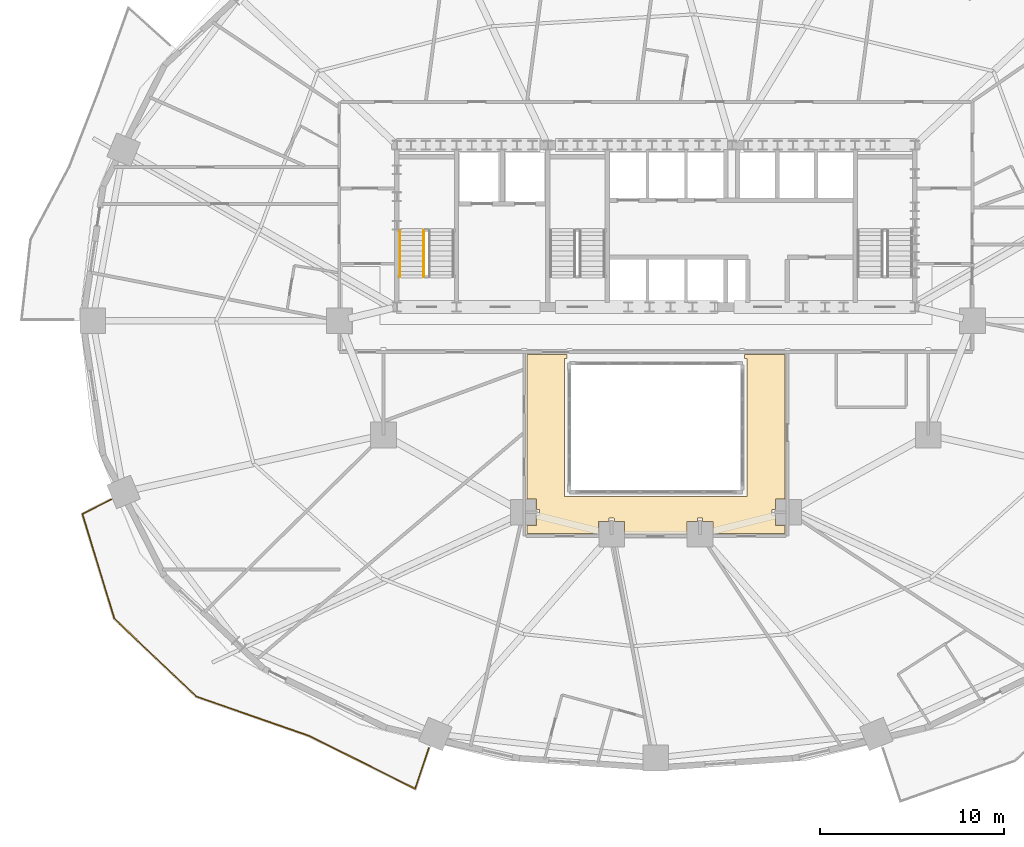
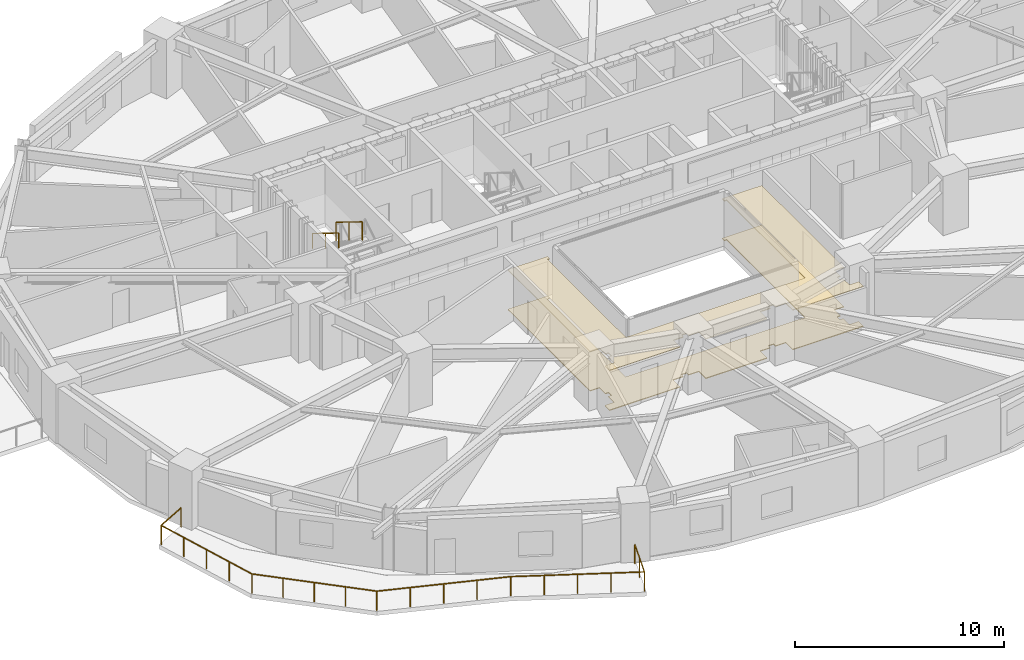
# One storey, part 14 of 17: 3 railings, 2 coverings.
"""IFC4 building model written with IfcOpenShell, lengths in metres."""

from ifc_helpers import new_model, si_unit, direction, frame, origin, origin_2d, place, context, subcontext, project, spatial, polyline, rectangle, outline, extrude, material, layer, layer_set, type_object, element, save


model = new_model("IFC4")

# Units and contexts
model_context = context("Model", 3, precision=1e-05, world=origin(), true_north=direction((0.0, 1.0)))
body_context = subcontext(model_context, "Body", "Model", "MODEL_VIEW")
ifc_project = project(units=[si_unit("LENGTHUNIT", "METRE"), si_unit("AREAUNIT", "SQUARE_METRE"), si_unit("VOLUMEUNIT", "CUBIC_METRE"), si_unit("PLANEANGLEUNIT", "RADIAN"), si_unit("MASSUNIT", "GRAM", prefix="KILO")], contexts=[model_context])

# Site, building, storey
site_placement = place(None, origin())
site = spatial("IfcSite", under=ifc_project, at=site_placement, CompositionType="ELEMENT")
building_placement = place(site_placement, origin())
building = spatial("IfcBuilding", under=site, at=building_placement, Name="Haldorwick Loom Tower", CompositionType="ELEMENT")
storey_placement = place(building_placement, frame((0.0, 0.0, 55.050048828125)))
storey = spatial("IfcBuildingStorey", under=building, at=storey_placement, Name="L14", CompositionType="ELEMENT", Elevation=55.050048828125)

# Coverings
ifc_material_1 = material(Name="Mineral Fibre Acoustic Ceiling Tile")
ifc_layer_1 = layer(ifc_material_1, 0.054931640625, Name="Mineral Fibre Acoustic Ceiling Tile")
ifc_layer_set_1 = layer_set([ifc_layer_1], Name="Mineral Fibre Acoustic Ceiling Tile")
covering_type_1 = type_object("IfcCoveringType", Name="ARC-COV-CEIL2", PredefinedType="CEILING", material=ifc_layer_set_1)
covering_1_placement = place(storey_placement, frame((0.0, 0.0, 2.302001953125)))
element("IfcCovering", 1, at=covering_1_placement, inside=storey, type_object=covering_type_1, Name="L14 Acoustic Suspended Ceiling 1", PredefinedType="CEILING", context=body_context, shape_type="SweptSolid", body=[
    extrude(outline(polyline([(37.69189453125, 14.43994140625), (37.69189453125, 15.10791015625), (38.260009765625, 15.10791015625), (38.260009765625, 15.27001953125), (38.260009765625, 15.27197265625), (38.260498046875, 15.27392578125), (38.260986328125, 15.27587890625), (38.261474609375, 15.277587890625), (38.262451171875, 15.279296875), (38.263427734375, 15.281005859375), (38.264404296875, 15.28271484375), (38.265869140625, 15.2841796875), (38.267333984375, 15.285400390625), (38.268798828125, 15.28662109375), (38.2705078125, 15.28759765625), (38.272216796875, 15.28857421875), (38.274169921875, 15.2890625), (38.276123046875, 15.28955078125), (38.278076171875, 15.289794921875), (38.280029296875, 15.2900390625), (38.52001953125, 15.2900390625), (38.52197265625, 15.289794921875), (38.52392578125, 15.28955078125), (38.52587890625, 15.289306640625), (38.527587890625, 15.28857421875), (38.529296875, 15.28759765625), (38.531005859375, 15.28662109375), (38.53271484375, 15.285400390625), (38.5341796875, 15.2841796875), (38.535400390625, 15.28271484375), (38.53662109375, 15.28125), (38.53759765625, 15.279541015625), (38.538330078125, 15.27783203125), (38.5390625, 15.27587890625), (38.53955078125, 15.274169921875), (38.539794921875, 15.272216796875), (38.5400390625, 15.270263671875), (38.5419921875, 15.10791015625), (39.10791015625, 15.10791015625), (39.10791015625, 14.43994140625), (43.010009765625, 14.43994140625), (43.010009765625, 14.89208984375), (42.491943359375, 14.89208984375), (42.491943359375, 15.4599609375), (42.330078125, 15.4599609375), (42.327880859375, 15.460205078125), (42.326171875, 15.46044921875), (42.32421875, 15.4609375), (42.322265625, 15.46142578125), (42.320556640625, 15.46240234375), (42.31884765625, 15.46337890625), (42.3173828125, 15.464599609375), (42.31591796875, 15.4658203125), (42.314453125, 15.46728515625), (42.3134765625, 15.468994140625), (42.3125, 15.470703125), (42.3115234375, 15.472412109375), (42.310791015625, 15.47412109375), (42.310302734375, 15.47607421875), (42.31005859375, 15.47802734375), (42.31005859375, 15.47998046875), (42.31005859375, 15.719970703125), (42.31005859375, 15.721923828125), (42.310302734375, 15.723876953125), (42.310791015625, 15.725830078125), (42.3115234375, 15.727783203125), (42.3125, 15.7294921875), (42.3134765625, 15.731201171875), (42.314453125, 15.732666015625), (42.31591796875, 15.734130859375), (42.3173828125, 15.735595703125), (42.31884765625, 15.736572265625), (42.320556640625, 15.737548828125), (42.322265625, 15.738525390625), (42.32421875, 15.739013671875), (42.326171875, 15.739501953125), (42.327880859375, 15.739990234375), (42.330078125, 15.739990234375), (42.491943359375, 15.739990234375), (42.491943359375, 16.30810546875), (43.010009765625, 16.30810546875), (43.010009765625, 24.159912109375), (40.820068359375, 24.159912109375), (40.820068359375, 23.949951171875), (40.949951171875, 23.949951171875), (40.949951171875, 16.449951171875), (31.050048828125, 16.449951171875), (31.050048828125, 23.949951171875), (31.179931640625, 23.949951171875), (31.179931640625, 24.159912109375), (28.989990234375, 24.159912109375), (28.989990234375, 16.30810546875), (29.508056640625, 16.30810546875), (29.508056640625, 15.739990234375), (29.669921875, 15.739990234375), (29.672119140625, 15.739990234375), (29.673828125, 15.739501953125), (29.67578125, 15.739013671875), (29.677734375, 15.738525390625), (29.679443359375, 15.737548828125), (29.68115234375, 15.736572265625), (29.6826171875, 15.735595703125), (29.68408203125, 15.734130859375), (29.685546875, 15.732666015625), (29.6865234375, 15.731201171875), (29.6875, 15.7294921875), (29.6884765625, 15.727783203125), (29.689208984375, 15.725830078125), (29.689697265625, 15.723876953125), (29.68994140625, 15.721923828125), (29.68994140625, 15.719970703125), (29.68994140625, 15.47998046875), (29.68994140625, 15.47802734375), (29.689697265625, 15.47607421875), (29.689208984375, 15.47412109375), (29.6884765625, 15.472412109375), (29.6875, 15.470703125), (29.6865234375, 15.468994140625), (29.685546875, 15.46728515625), (29.68408203125, 15.4658203125), (29.6826171875, 15.464599609375), (29.68115234375, 15.46337890625), (29.679443359375, 15.46240234375), (29.677734375, 15.46142578125), (29.67578125, 15.4609375), (29.673828125, 15.46044921875), (29.672119140625, 15.460205078125), (29.669921875, 15.4599609375), (29.508056640625, 15.4599609375), (29.508056640625, 14.89208984375), (28.989990234375, 14.89208984375), (28.989990234375, 14.43994140625), (32.89208984375, 14.43994140625), (32.89208984375, 15.10791015625), (33.458984375, 15.10791015625), (33.4599609375, 15.27001953125), (33.460205078125, 15.272216796875), (33.46044921875, 15.27392578125), (33.4609375, 15.27587890625), (33.461669921875, 15.277587890625), (33.46240234375, 15.279541015625), (33.46337890625, 15.28125), (33.464599609375, 15.28271484375), (33.4658203125, 15.2841796875), (33.46728515625, 15.285400390625), (33.468994140625, 15.28662109375), (33.470703125, 15.28759765625), (33.472412109375, 15.28857421875), (33.47412109375, 15.2890625), (33.47607421875, 15.28955078125), (33.47802734375, 15.289794921875), (33.47998046875, 15.2900390625), (33.719970703125, 15.2900390625), (33.721923828125, 15.289794921875), (33.723876953125, 15.28955078125), (33.725830078125, 15.2890625), (33.727783203125, 15.28857421875), (33.7294921875, 15.28759765625), (33.731201171875, 15.28662109375), (33.732666015625, 15.285400390625), (33.734130859375, 15.2841796875), (33.735595703125, 15.28271484375), (33.736572265625, 15.281005859375), (33.737548828125, 15.279296875), (33.738525390625, 15.277587890625), (33.739013671875, 15.27587890625), (33.739501953125, 15.27392578125), (33.739990234375, 15.27197265625), (33.739990234375, 15.27001953125), (33.739990234375, 15.10791015625), (34.30810546875, 15.10791015625), (34.30810546875, 14.43994140625), (37.69189453125, 14.43994140625)])), origin(), (0.0, 0.0, 1.0), 0.054931640625),
])
ifc_material_2 = material(Name="Polished Aggregate Terrazzo Finish")
ifc_layer_2 = layer(ifc_material_2, 0.044921875, Name="Polished Aggregate Terrazzo Finish")
ifc_layer_set_2 = layer_set([ifc_layer_2], Name="Polished Aggregate Terrazzo Finish")
covering_type_2 = type_object("IfcCoveringType", Name="ARC-COV-FLOOR2", PredefinedType="FLOORING", material=ifc_layer_set_2)
covering_2_placement = place(storey_placement, origin())
element("IfcCovering", 2, at=covering_2_placement, inside=storey, type_object=covering_type_2, Name="L14 Floor Finish 1", PredefinedType="FLOORING", context=body_context, shape_type="SweptSolid", body=[
    extrude(outline(polyline([(37.69189453125, 14.43994140625), (37.69189453125, 15.10791015625), (38.260009765625, 15.10791015625), (38.260009765625, 15.27001953125), (38.260009765625, 15.27197265625), (38.260498046875, 15.27392578125), (38.260986328125, 15.27587890625), (38.261474609375, 15.277587890625), (38.262451171875, 15.279296875), (38.263427734375, 15.281005859375), (38.264404296875, 15.28271484375), (38.265869140625, 15.2841796875), (38.267333984375, 15.285400390625), (38.268798828125, 15.28662109375), (38.2705078125, 15.28759765625), (38.272216796875, 15.28857421875), (38.274169921875, 15.2890625), (38.276123046875, 15.28955078125), (38.278076171875, 15.289794921875), (38.280029296875, 15.2900390625), (38.52001953125, 15.2900390625), (38.52197265625, 15.289794921875), (38.52392578125, 15.28955078125), (38.52587890625, 15.289306640625), (38.527587890625, 15.28857421875), (38.529296875, 15.28759765625), (38.531005859375, 15.28662109375), (38.53271484375, 15.285400390625), (38.5341796875, 15.2841796875), (38.535400390625, 15.28271484375), (38.53662109375, 15.28125), (38.53759765625, 15.279541015625), (38.538330078125, 15.27783203125), (38.5390625, 15.27587890625), (38.53955078125, 15.274169921875), (38.539794921875, 15.272216796875), (38.5400390625, 15.270263671875), (38.5419921875, 15.10791015625), (39.10791015625, 15.10791015625), (39.10791015625, 14.43994140625), (43.010009765625, 14.43994140625), (43.010009765625, 14.89208984375), (42.491943359375, 14.89208984375), (42.491943359375, 15.4599609375), (42.330078125, 15.4599609375), (42.327880859375, 15.460205078125), (42.326171875, 15.46044921875), (42.32421875, 15.4609375), (42.322265625, 15.46142578125), (42.320556640625, 15.46240234375), (42.31884765625, 15.46337890625), (42.3173828125, 15.464599609375), (42.31591796875, 15.4658203125), (42.314453125, 15.46728515625), (42.3134765625, 15.468994140625), (42.3125, 15.470703125), (42.3115234375, 15.472412109375), (42.310791015625, 15.47412109375), (42.310302734375, 15.47607421875), (42.31005859375, 15.47802734375), (42.31005859375, 15.47998046875), (42.31005859375, 15.719970703125), (42.31005859375, 15.721923828125), (42.310302734375, 15.723876953125), (42.310791015625, 15.725830078125), (42.3115234375, 15.727783203125), (42.3125, 15.7294921875), (42.3134765625, 15.731201171875), (42.314453125, 15.732666015625), (42.31591796875, 15.734130859375), (42.3173828125, 15.735595703125), (42.31884765625, 15.736572265625), (42.320556640625, 15.737548828125), (42.322265625, 15.738525390625), (42.32421875, 15.739013671875), (42.326171875, 15.739501953125), (42.327880859375, 15.739990234375), (42.330078125, 15.739990234375), (42.491943359375, 15.739990234375), (42.491943359375, 16.30810546875), (43.010009765625, 16.30810546875), (43.010009765625, 24.159912109375), (40.820068359375, 24.159912109375), (40.820068359375, 23.949951171875), (40.949951171875, 23.949951171875), (40.949951171875, 16.449951171875), (31.050048828125, 16.449951171875), (31.050048828125, 23.949951171875), (31.179931640625, 23.949951171875), (31.179931640625, 24.159912109375), (28.989990234375, 24.159912109375), (28.989990234375, 16.30810546875), (29.508056640625, 16.30810546875), (29.508056640625, 15.739990234375), (29.669921875, 15.739990234375), (29.672119140625, 15.739990234375), (29.673828125, 15.739501953125), (29.67578125, 15.739013671875), (29.677734375, 15.738525390625), (29.679443359375, 15.737548828125), (29.68115234375, 15.736572265625), (29.6826171875, 15.735595703125), (29.68408203125, 15.734130859375), (29.685546875, 15.732666015625), (29.6865234375, 15.731201171875), (29.6875, 15.7294921875), (29.6884765625, 15.727783203125), (29.689208984375, 15.725830078125), (29.689697265625, 15.723876953125), (29.68994140625, 15.721923828125), (29.68994140625, 15.719970703125), (29.68994140625, 15.47998046875), (29.68994140625, 15.47802734375), (29.689697265625, 15.47607421875), (29.689208984375, 15.47412109375), (29.6884765625, 15.472412109375), (29.6875, 15.470703125), (29.6865234375, 15.468994140625), (29.685546875, 15.46728515625), (29.68408203125, 15.4658203125), (29.6826171875, 15.464599609375), (29.68115234375, 15.46337890625), (29.679443359375, 15.46240234375), (29.677734375, 15.46142578125), (29.67578125, 15.4609375), (29.673828125, 15.46044921875), (29.672119140625, 15.460205078125), (29.669921875, 15.4599609375), (29.508056640625, 15.4599609375), (29.508056640625, 14.89208984375), (28.989990234375, 14.89208984375), (28.989990234375, 14.43994140625), (32.89208984375, 14.43994140625), (32.89208984375, 15.10791015625), (33.458984375, 15.10791015625), (33.4599609375, 15.27001953125), (33.460205078125, 15.272216796875), (33.46044921875, 15.27392578125), (33.4609375, 15.27587890625), (33.461669921875, 15.277587890625), (33.46240234375, 15.279541015625), (33.46337890625, 15.28125), (33.464599609375, 15.28271484375), (33.4658203125, 15.2841796875), (33.46728515625, 15.285400390625), (33.468994140625, 15.28662109375), (33.470703125, 15.28759765625), (33.472412109375, 15.28857421875), (33.47412109375, 15.2890625), (33.47607421875, 15.28955078125), (33.47802734375, 15.289794921875), (33.47998046875, 15.2900390625), (33.719970703125, 15.2900390625), (33.721923828125, 15.289794921875), (33.723876953125, 15.28955078125), (33.725830078125, 15.2890625), (33.727783203125, 15.28857421875), (33.7294921875, 15.28759765625), (33.731201171875, 15.28662109375), (33.732666015625, 15.285400390625), (33.734130859375, 15.2841796875), (33.735595703125, 15.28271484375), (33.736572265625, 15.281005859375), (33.737548828125, 15.279296875), (33.738525390625, 15.277587890625), (33.739013671875, 15.27587890625), (33.739501953125, 15.27392578125), (33.739990234375, 15.27197265625), (33.739990234375, 15.27001953125), (33.739990234375, 15.10791015625), (34.30810546875, 15.10791015625), (34.30810546875, 14.43994140625), (37.69189453125, 14.43994140625)])), origin(), (0.0, 0.0, 1.0), 0.044921875),
])

# Railings
ifc_material_3 = material(Name="Galvanized Steel CSA G40.21 350W", Category="steel")
railing_type_1 = type_object("IfcRailingType", Name="ARC-RLG-BAL115", PredefinedType="BALUSTRADE", material=ifc_material_3)
railing_1_placement = place(storey_placement, frame((23.662841796875, 2.7919921875, 0.0)))
element("IfcRailing", 3, at=railing_1_placement, inside=storey, type_object=railing_type_1, Name="L14 Outdoor Terrace Guardrail SLB-L14-BAL_SW-1", PredefinedType="BALUSTRADE", context=body_context, shape_type="SweptSolid", body=[
    extrude(rectangle(XDim=0.048095703125, YDim=0.048095703125, at=origin_2d()), frame((0.0, 0.0, 1.1259765625), z_axis=(-0.318648041884, -0.947873106171, 0.0), x_axis=(0.947873106171, -0.318648041884, 0.0)), (0.0, 0.0, 1.0), 2.3291015625),
    extrude(rectangle(XDim=0.048095703125, YDim=0.048095703125, at=origin_2d()), frame((-0.7421875, -2.207763671875, 1.1259765625), z_axis=(-0.895074166338, 0.445917298112, 0.0), x_axis=(-0.445917298112, -0.895074166338, 0.0)), (0.0, 0.0, 1.0), 6.40576171875),
    extrude(rectangle(XDim=0.048095703125, YDim=0.048095703125, at=origin_2d()), frame((-6.475830078125, 0.648681640625, 1.1259765625), z_axis=(-0.925168618375, 0.379556356256, 0.0), x_axis=(-0.379556356256, -0.925168618375, 0.0)), (0.0, 0.0, 1.0), 0.01025390625),
    extrude(rectangle(XDim=0.048095703125, YDim=0.048095703125, at=origin_2d()), frame((-6.4853515625, 0.652587890625, 1.1259765625), z_axis=(-0.944070435486, 0.329743859444, 0.0), x_axis=(-0.329743859444, -0.944070435486, 0.0)), (0.0, 0.0, 1.0), 6.5087890625),
    extrude(rectangle(XDim=0.048095703125, YDim=0.048095703125, at=origin_2d()), frame((-12.630126953125, 2.798828125, 1.1259765625), z_axis=(-0.724642252261, 0.689125247134, 0.0), x_axis=(-0.689125247134, -0.724642252261, 0.0)), (0.0, 0.0, 1.0), 6.145263671875),
    extrude(rectangle(XDim=0.048095703125, YDim=0.048095703125, at=origin_2d()), frame((-17.083251953125, 7.03369140625, 1.1259765625), z_axis=(-0.292158928936, 0.956369782167, 0.0), x_axis=(-0.956369782167, -0.292158928936, 0.0)), (0.0, 0.0, 1.0), 5.931396484375),
    extrude(rectangle(XDim=0.048095703125, YDim=0.048095703125, at=origin_2d()), frame((-18.816162109375, 12.706298828125, 1.1259765625), z_axis=(0.891307713143, 0.453398897761, 0.0), x_axis=(-0.453398897761, 0.891307713143, 0.0)), (0.0, 0.0, 1.0), 1.74951171875),
    extrude(rectangle(XDim=0.0419921875, YDim=0.0419921875, at=origin_2d()), origin(), (0.0, 0.0, 1.0), 1.101806640625),
    extrude(rectangle(XDim=0.0419921875, YDim=0.0419921875, at=origin_2d()), frame((-0.37109375, -1.10400390625, 0.0)), (0.0, 0.0, 1.0), 1.101806640625),
    extrude(rectangle(XDim=0.0419921875, YDim=0.0419921875, at=origin_2d()), frame((-0.7421875, -2.207763671875, 0.0)), (0.0, 0.0, 1.0), 1.101806640625),
    extrude(rectangle(XDim=0.0419921875, YDim=0.0419921875, at=origin_2d()), frame((-2.175537109375, -1.49365234375, 0.0)), (0.0, 0.0, 1.0), 1.101806640625),
    extrude(rectangle(XDim=0.0419921875, YDim=0.0419921875, at=origin_2d()), frame((-3.60888671875, -0.779541015625, 0.0)), (0.0, 0.0, 1.0), 1.101806640625),
    extrude(rectangle(XDim=0.0419921875, YDim=0.0419921875, at=origin_2d()), frame((-5.04248046875, -0.0654296875, 0.0)), (0.0, 0.0, 1.0), 1.101806640625),
    extrude(rectangle(XDim=0.0419921875, YDim=0.0419921875, at=origin_2d()), frame((-6.475830078125, 0.648681640625, 0.0)), (0.0, 0.0, 1.0), 1.101806640625),
    extrude(rectangle(XDim=0.0419921875, YDim=0.0419921875, at=origin_2d()), frame((-8.021484375, 1.189208984375, 0.0)), (0.0, 0.0, 1.0), 1.101806640625),
    extrude(rectangle(XDim=0.0419921875, YDim=0.0419921875, at=origin_2d()), frame((-9.5576171875, 1.7255859375, 0.0)), (0.0, 0.0, 1.0), 1.101806640625),
    extrude(rectangle(XDim=0.0419921875, YDim=0.0419921875, at=origin_2d()), frame((-11.093994140625, 2.26220703125, 0.0)), (0.0, 0.0, 1.0), 1.101806640625),
    extrude(rectangle(XDim=0.0419921875, YDim=0.0419921875, at=origin_2d()), frame((-12.630126953125, 2.798828125, 0.0)), (0.0, 0.0, 1.0), 1.101806640625),
    extrude(rectangle(XDim=0.0419921875, YDim=0.0419921875, at=origin_2d()), frame((-13.743408203125, 3.857421875, 0.0)), (0.0, 0.0, 1.0), 1.101806640625),
    extrude(rectangle(XDim=0.0419921875, YDim=0.0419921875, at=origin_2d()), frame((-14.856689453125, 4.916259765625, 0.0)), (0.0, 0.0, 1.0), 1.101806640625),
    extrude(rectangle(XDim=0.0419921875, YDim=0.0419921875, at=origin_2d()), frame((-15.969970703125, 5.97509765625, 0.0)), (0.0, 0.0, 1.0), 1.101806640625),
    extrude(rectangle(XDim=0.0419921875, YDim=0.0419921875, at=origin_2d()), frame((-17.083251953125, 7.03369140625, 0.0)), (0.0, 0.0, 1.0), 1.101806640625),
    extrude(rectangle(XDim=0.0419921875, YDim=0.0419921875, at=origin_2d()), frame((-17.5166015625, 8.451904296875, 0.0)), (0.0, 0.0, 1.0), 1.101806640625),
    extrude(rectangle(XDim=0.0419921875, YDim=0.0419921875, at=origin_2d()), frame((-17.94970703125, 9.8701171875, 0.0)), (0.0, 0.0, 1.0), 1.101806640625),
    extrude(rectangle(XDim=0.0419921875, YDim=0.0419921875, at=origin_2d()), frame((-18.3828125, 11.2880859375, 0.0)), (0.0, 0.0, 1.0), 1.101806640625),
    extrude(rectangle(XDim=0.0419921875, YDim=0.0419921875, at=origin_2d()), frame((-18.816162109375, 12.706298828125, 0.0)), (0.0, 0.0, 1.0), 1.101806640625),
    extrude(rectangle(XDim=0.0419921875, YDim=0.0419921875, at=origin_2d()), frame((-17.2568359375, 13.49951171875, 0.0)), (0.0, 0.0, 1.0), 1.101806640625),
])
ifc_material_4 = material(Name="Steel CSA G40.21 350W", Category="steel")
railing_type_2 = type_object("IfcRailingType", Name="ARC-RLG-GUARD112", PredefinedType="GUARDRAIL", material=ifc_material_4)
railing_2_placement = place(storey_placement, frame((23.39990234375, 30.919921875, 1.8974609375)))
element("IfcRailing", 4, at=railing_2_placement, inside=storey, type_object=railing_type_2, Name="L14 ST-01 stair guard 3", PredefinedType="GUARDRAIL", context=body_context, shape_type="SweptSolid", body=[
    extrude(rectangle(XDim=0.048095703125, YDim=0.048095703125, at=origin_2d()), frame((0.0, 0.0, 1.076171875), z_axis=(0.0, -0.851400495292, 0.524516154772), x_axis=(1.0, 0.0, 0.0)), (0.0, 0.0, 1.0), 2.9599609375),
    extrude(rectangle(XDim=0.0419921875, YDim=0.0419921875, at=origin_2d()), origin(), (0.0, 0.0, 1.0), 1.052001953125),
    extrude(rectangle(XDim=0.0419921875, YDim=0.0419921875, at=origin_2d()), frame((0.0, -1.260009765625, 0.7763671875)), (0.0, 0.0, 1.0), 1.052001953125),
    extrude(rectangle(XDim=0.0419921875, YDim=0.0419921875, at=origin_2d()), frame((0.0, -2.52001953125, 1.552490234375)), (0.0, 0.0, 1.0), 1.052001953125),
])
railing_type_3 = type_object("IfcRailingType", Name="ARC-RLG-HAND092", PredefinedType="HANDRAIL", material=ifc_material_4)
railing_3_placement = place(storey_placement, frame((22.10009765625, 30.919921875, 1.8974609375)))
element("IfcRailing", 5, at=railing_3_placement, inside=storey, type_object=railing_type_3, Name="L14 ST-01 stair handrail 2", PredefinedType="HANDRAIL", context=body_context, shape_type="SweptSolid", body=[
    extrude(rectangle(XDim=0.048095703125, YDim=0.048095703125, at=origin_2d()), frame((0.0, 0.0, 0.8759765625), z_axis=(0.0, -0.851400495292, 0.524516154772), x_axis=(1.0, 0.0, 0.0)), (0.0, 0.0, 1.0), 2.9599609375),
    extrude(rectangle(XDim=0.0419921875, YDim=0.0419921875, at=origin_2d()), origin(), (0.0, 0.0, 1.0), 0.851806640625),
    extrude(rectangle(XDim=0.0419921875, YDim=0.0419921875, at=origin_2d()), frame((0.0, -1.260009765625, 0.7763671875)), (0.0, 0.0, 1.0), 0.851806640625),
    extrude(rectangle(XDim=0.0419921875, YDim=0.0419921875, at=origin_2d()), frame((0.0, -2.52001953125, 1.552490234375)), (0.0, 0.0, 1.0), 0.851806640625),
])

save(model, "model.ifc")
